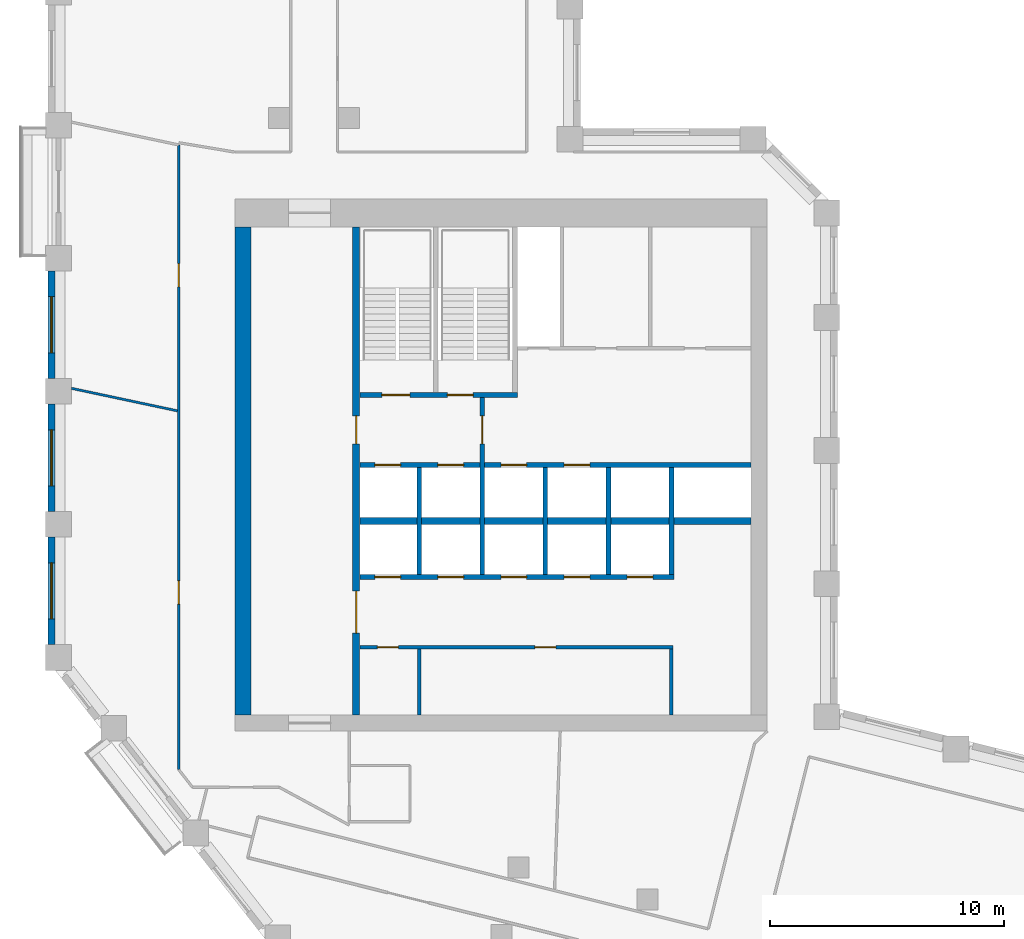
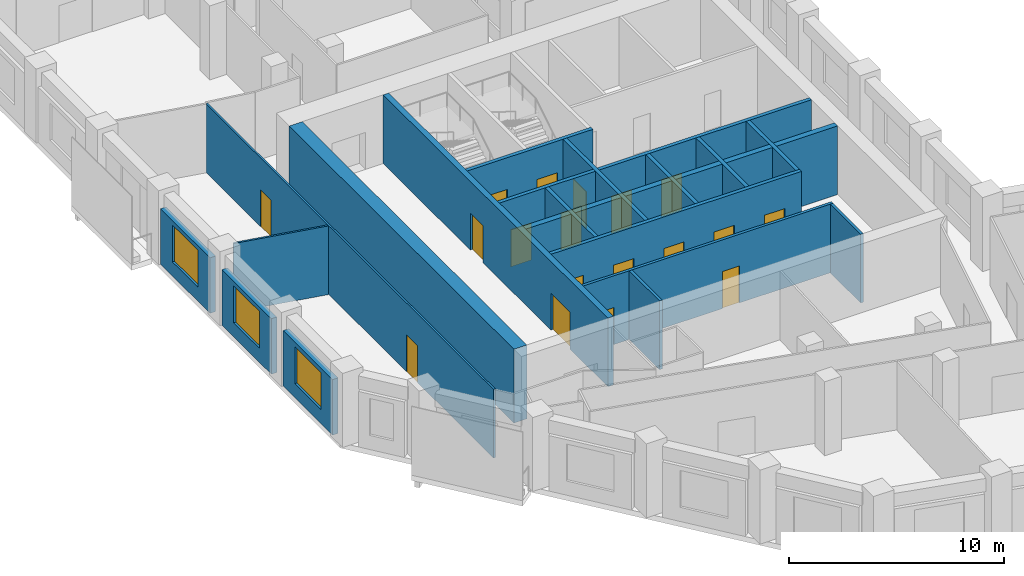
# One storey, part 5 of 10: 19 walls, 18 doors, 3 windows, 21 openings.
"""IFC4 building model written with IfcOpenShell, lengths in metres."""

from ifc_helpers import new_model, si_unit, direction, frame, frame_2d, origin, place, context, subcontext, project, spatial, rectangle, extrude, material, layer, layer_set, type_object, element, fill, save


model = new_model("IFC4")

# Units and contexts
model_context = context("Model", 3, precision=1e-05, world=origin(), true_north=direction((0.0, 1.0)))
body_context = subcontext(model_context, "Body", "Model", "MODEL_VIEW")
ifc_project = project(units=[si_unit("LENGTHUNIT", "METRE"), si_unit("AREAUNIT", "SQUARE_METRE"), si_unit("VOLUMEUNIT", "CUBIC_METRE"), si_unit("PLANEANGLEUNIT", "RADIAN"), si_unit("MASSUNIT", "GRAM", prefix="KILO")], contexts=[model_context])

# Site, building, storey
site_placement = place(None, origin())
site = spatial("IfcSite", under=ifc_project, at=site_placement, CompositionType="ELEMENT")
building_placement = place(site_placement, origin())
building = spatial("IfcBuilding", under=site, at=building_placement, Name="Meshkara Civic Tower", CompositionType="ELEMENT")
storey_placement = place(building_placement, frame((0.0, 0.0, 255.0)))
storey = spatial("IfcBuildingStorey", under=building, at=storey_placement, Name="L58", CompositionType="ELEMENT", Elevation=255.0)

# Wall, openings, doors
ifc_material_1 = material(Name="Blockwork", Category="masonry")
ifc_layer_1 = layer(ifc_material_1, 0.14990234375)
ifc_layer_set_1 = layer_set([ifc_layer_1], Name="Core partition 150")
wall_type_1 = type_object("IfcWallType", Name="Core partition 150", PredefinedType="PARTITIONING", material=ifc_layer_set_1)
wall_1_placement = place(storey_placement, frame((13.35009765625, 17.699951171875, 0.0), z_axis=(0.0, 0.0, 1.0), x_axis=(1.0, 0.0, 0.0)))
wall_1 = element("IfcWall", 1, at=wall_1_placement, inside=storey, type_object=wall_type_1, Name="L58-C005", PredefinedType="PARTITIONING", context=body_context, shape_type="SweptSolid", body=[
    extrude(rectangle(XDim=13.4248046875, YDim=0.14990234375, at=frame_2d((6.71240234375, 0.0))), origin(), (0.0, 0.0, 1.0), 3.89990234375),
])
opening_1_placement = place(wall_1_placement, frame((0.75, 0.0, 0.0)))
opening_1 = element("IfcOpeningElement", 2, at=opening_1_placement, cuts=wall_1, Name="Opening L58-K010", PredefinedType="OPENING", context=body_context, shape_type="SweptSolid", body=[
    extrude(rectangle(XDim=0.89990234375, YDim=2.10009765625, at=frame_2d((0.449951171875, 1.050048828125))), frame((0.0, 0.0849609375, 0.0), z_axis=(0.0, -1.0, 0.0), x_axis=(1.0, 0.0, 0.0)), (0.0, 0.0, 1.0), 0.169921875),
])
opening_2_placement = place(wall_1_placement, frame((7.5, 0.0, 0.0)))
opening_2 = element("IfcOpeningElement", 3, at=opening_2_placement, cuts=wall_1, Name="Opening L58-K011", PredefinedType="OPENING", context=body_context, shape_type="SweptSolid", body=[
    extrude(rectangle(XDim=0.89990234375, YDim=2.10009765625, at=frame_2d((0.449951171875, 1.050048828125))), frame((0.0, 0.0849609375, 0.0), z_axis=(0.0, -1.0, 0.0), x_axis=(1.0, 0.0, 0.0)), (0.0, 0.0, 1.0), 0.169921875),
])
ifc_material_2 = material(Name="Timber door leaf in steel frame", Category="steel")
door_type_1 = type_object("IfcDoorType", Name="Core room door 900", OperationType="SINGLE_SWING_LEFT", PredefinedType="DOOR", material=ifc_material_2)
door_1_placement = place(opening_1_placement, origin())
door_1 = element("IfcDoor", 4, at=door_1_placement, inside=storey, type_object=door_type_1, Name="L58-K010", OperationType="SINGLE_SWING_LEFT", OverallHeight=2.10009765625, OverallWidth=0.89990234375, PredefinedType="DOOR", context=body_context, shape_type="SweptSolid", body=[
    extrude(rectangle(XDim=0.89990234375, YDim=2.10009765625, at=frame_2d((0.449951171875, 1.050048828125))), frame((0.0, 0.02490234375, 0.0), z_axis=(0.0, -1.0, 0.0), x_axis=(1.0, 0.0, 0.0)), (0.0, 0.0, 1.0), 0.050048828125),
])
fill(opening_1, door_1)
door_2_placement = place(opening_2_placement, origin())
door_2 = element("IfcDoor", 5, at=door_2_placement, inside=storey, type_object=door_type_1, Name="L58-K011", OperationType="SINGLE_SWING_RIGHT", OverallHeight=2.10009765625, OverallWidth=0.89990234375, PredefinedType="DOOR", context=body_context, shape_type="SweptSolid", body=[
    extrude(rectangle(XDim=0.89990234375, YDim=2.10009765625, at=frame_2d((0.449951171875, 1.050048828125))), frame((0.0, 0.02490234375, 0.0), z_axis=(0.0, -1.0, 0.0), x_axis=(1.0, 0.0, 0.0)), (0.0, 0.0, 1.0), 0.050048828125),
])
fill(opening_2, door_2)

# Walls
for number, where, z_axis, x_axis, name in (
    (6, (15.89990234375, 14.800048828125, 0.0), (0.0, 0.0, 1.0), (0.0, 1.0, 0.0), "L58-C012"),
    (7, (26.699951171875, 14.800048828125, 0.0), (0.0, 0.0, 1.0), (0.0, 1.0, 0.0), "L58-C021"),
):
    element("IfcWall", number, at=place(storey_placement, frame(where, z_axis=z_axis, x_axis=x_axis)), inside=storey, type_object=wall_type_1, Name=name, PredefinedType="PARTITIONING", context=body_context, shape_type="SweptSolid", body=[
        extrude(rectangle(XDim=2.824951171875, YDim=0.14990234375, at=frame_2d((1.41259765625, 0.0))), origin(), (0.0, 0.0, 1.0), 3.89990234375),
    ])
ifc_material_3 = material(Name="Concrete C60", Category="concrete")
ifc_layer_2 = layer(ifc_material_3, 0.699951171875)
ifc_layer_set_2 = layer_set([ifc_layer_2], Name="Core ring wall 700 C60")
wall_type_2 = type_object("IfcWallType", Name="Core ring wall 700 C60", PredefinedType="SHEAR", material=ifc_layer_set_2)
wall_2_placement = place(storey_placement, frame((8.35009765625, 14.800048828125, -0.300048828125), z_axis=(0.0, 0.0, 1.0), x_axis=(0.0, 1.0, 0.0)))
element("IfcWall", 8, at=wall_2_placement, inside=storey, type_object=wall_type_2, Name="L58-C003", PredefinedType="SHEAR", context=body_context, shape_type="SweptSolid", body=[
    extrude(rectangle(XDim=20.89990234375, YDim=0.699951171875, at=frame_2d((10.449951171875, 0.0))), origin(), (0.0, 0.0, 1.0), 4.199951171875),
])
ifc_material_4 = material(Name="Concrete C60", Category="concrete")
ifc_layer_3 = layer(ifc_material_4, 0.300048828125)
ifc_layer_set_3 = layer_set([ifc_layer_3], Name="Core shear wall 300 C60")
wall_type_3 = type_object("IfcWallType", Name="Core shear wall 300 C60", PredefinedType="SHEAR", material=ifc_layer_set_3)
wall_3_placement = place(storey_placement, frame((13.35009765625, 23.10009765625, 0.0), z_axis=(0.0, 0.0, 1.0), x_axis=(1.0, 0.0, 0.0)))
element("IfcWall", 9, at=wall_3_placement, inside=storey, type_object=wall_type_3, Name="L58-C007", PredefinedType="SHEAR", context=body_context, shape_type="SweptSolid", body=[
    extrude(rectangle(XDim=16.75, YDim=0.300048828125, at=frame_2d((8.375, 0.0))), origin(), (0.0, 0.0, 1.0), 3.89990234375),
])

# Wall, openings, doors
wall_4_placement = place(storey_placement, frame((13.199951171875, 14.800048828125, 0.0), z_axis=(0.0, 0.0, 1.0), x_axis=(0.0, 1.0, 0.0)))
wall_4 = element("IfcWall", 10, at=wall_4_placement, inside=storey, type_object=wall_type_3, Name="L58-C011", PredefinedType="SHEAR", context=body_context, shape_type="SweptSolid", body=[
    extrude(rectangle(XDim=20.89990234375, YDim=0.300048828125, at=frame_2d((10.449951171875, 0.0))), origin(), (0.0, 0.0, 1.0), 3.89990234375),
])
opening_3_placement = place(wall_4_placement, frame((3.5, 0.0, 0.0)))
opening_3 = element("IfcOpeningElement", 11, at=opening_3_placement, cuts=wall_4, Name="Opening L58-K017", PredefinedType="OPENING", context=body_context, shape_type="SweptSolid", body=[
    extrude(rectangle(XDim=1.800048828125, YDim=2.10009765625, at=frame_2d((0.89990234375, 1.050048828125))), frame((0.0, 0.159912109375, 0.0), z_axis=(0.0, -1.0, 0.0), x_axis=(1.0, 0.0, 0.0)), (0.0, 0.0, 1.0), 0.320068359375),
])
opening_4_placement = place(wall_4_placement, frame((11.60009765625, 0.0, 0.0)))
opening_4 = element("IfcOpeningElement", 12, at=opening_4_placement, cuts=wall_4, Name="Opening L58-K018", PredefinedType="OPENING", context=body_context, shape_type="SweptSolid", body=[
    extrude(rectangle(XDim=1.199951171875, YDim=2.10009765625, at=frame_2d((0.60009765625, 1.050048828125))), frame((0.0, 0.159912109375, 0.0), z_axis=(0.0, -1.0, 0.0), x_axis=(1.0, 0.0, 0.0)), (0.0, 0.0, 1.0), 0.320068359375),
])
ifc_material_5 = material(Name="Fire-rated door leaf in steel frame", Category="steel")
door_type_2 = type_object("IfcDoorType", Name="Core double door 1800 EI 60", OperationType="DOUBLE_DOOR_SINGLE_SWING", PredefinedType="DOOR", material=ifc_material_5)
door_3_placement = place(opening_3_placement, origin())
door_3 = element("IfcDoor", 13, at=door_3_placement, inside=storey, type_object=door_type_2, Name="L58-K017", OperationType="DOUBLE_DOOR_SINGLE_SWING", OverallHeight=2.10009765625, OverallWidth=1.800048828125, PredefinedType="DOOR", context=body_context, shape_type="SweptSolid", body=[
    extrude(rectangle(XDim=1.800048828125, YDim=2.10009765625, at=frame_2d((0.89990234375, 1.050048828125))), frame((0.0, 0.02490234375, 0.0), z_axis=(0.0, -1.0, 0.0), x_axis=(1.0, 0.0, 0.0)), (0.0, 0.0, 1.0), 0.050048828125),
])
fill(opening_3, door_3)
ifc_material_6 = material(Name="Fire-rated door leaf in steel frame", Category="steel")
door_type_3 = type_object("IfcDoorType", Name="Fire-fighting lobby door 1200 EI 120", OperationType="SINGLE_SWING_LEFT", PredefinedType="DOOR", material=ifc_material_6)
door_4_placement = place(opening_4_placement, origin())
door_4 = element("IfcDoor", 14, at=door_4_placement, inside=storey, type_object=door_type_3, Name="L58-K018", OperationType="SINGLE_SWING_LEFT", OverallHeight=2.10009765625, OverallWidth=1.199951171875, PredefinedType="DOOR", context=body_context, shape_type="SweptSolid", body=[
    extrude(rectangle(XDim=1.199951171875, YDim=2.10009765625, at=frame_2d((0.60009765625, 1.050048828125))), frame((0.0, 0.02490234375, 0.0), z_axis=(0.0, -1.0, 0.0), x_axis=(1.0, 0.0, 0.0)), (0.0, 0.0, 1.0), 0.050048828125),
])
fill(opening_4, door_4)

ifc_material_7 = material(Name="Corridor wall 100")
ifc_layer_4 = layer(ifc_material_7, 0.10009765625)
ifc_layer_set_4 = layer_set([ifc_layer_4], Name="Corridor wall 100")
wall_type_4 = type_object("IfcWallType", Name="Corridor wall 100", PredefinedType="PARTITIONING", material=ifc_layer_set_4)
wall_5_placement = place(storey_placement, frame((5.60009765625, 39.205078125, 0.0), z_axis=(0.0, 0.0, 1.0), x_axis=(0.0, -1.0, 0.0)))
wall_5 = element("IfcWall", 15, at=wall_5_placement, inside=storey, type_object=wall_type_4, Name="L58-W004", PredefinedType="PARTITIONING", context=body_context, shape_type="SweptSolid", body=[
    extrude(rectangle(XDim=26.755126953125, YDim=0.10009765625, at=frame_2d((13.37744140625, 0.0))), origin(), (0.0, 0.0, 1.0), 3.89990234375),
])
opening_5_placement = place(wall_5_placement, frame((18.6669921875, 0.0, 0.0)))
opening_5 = element("IfcOpeningElement", 16, at=opening_5_placement, cuts=wall_5, Name="Opening L58-D013", PredefinedType="OPENING", context=body_context, shape_type="SweptSolid", body=[
    extrude(rectangle(XDim=1.0, YDim=2.10009765625, at=frame_2d((0.5, 1.050048828125))), frame((0.0, 0.06005859375, 0.0), z_axis=(0.0, -1.0, 0.0), x_axis=(1.0, 0.0, 0.0)), (0.0, 0.0, 1.0), 0.1201171875),
])
opening_6_placement = place(wall_5_placement, frame((5.080078125, 0.0, 0.0)))
opening_6 = element("IfcOpeningElement", 17, at=opening_6_placement, cuts=wall_5, Name="Opening L58-D014", PredefinedType="OPENING", context=body_context, shape_type="SweptSolid", body=[
    extrude(rectangle(XDim=1.0, YDim=2.10009765625, at=frame_2d((0.5, 1.050048828125))), frame((0.0, 0.06005859375, 0.0), z_axis=(0.0, -1.0, 0.0), x_axis=(1.0, 0.0, 0.0)), (0.0, 0.0, 1.0), 0.1201171875),
])
ifc_material_8 = material(Name="Door 1000 x 2100")
door_type_4 = type_object("IfcDoorType", Name="Door 1000 x 2100", OperationType="SINGLE_SWING_LEFT", PredefinedType="DOOR", material=ifc_material_8)
door_5_placement = place(opening_5_placement, origin())
door_5 = element("IfcDoor", 18, at=door_5_placement, inside=storey, type_object=door_type_4, Name="L58-D013", OperationType="SINGLE_SWING_LEFT", OverallHeight=2.10009765625, OverallWidth=1.0, PredefinedType="DOOR", context=body_context, shape_type="SweptSolid", body=[
    extrude(rectangle(XDim=1.0, YDim=2.10009765625, at=frame_2d((0.5, 1.050048828125))), frame((0.0, 0.02490234375, 0.0), z_axis=(0.0, -1.0, 0.0), x_axis=(1.0, 0.0, 0.0)), (0.0, 0.0, 1.0), 0.050048828125),
])
fill(opening_5, door_5)
door_6_placement = place(opening_6_placement, origin())
door_6 = element("IfcDoor", 19, at=door_6_placement, inside=storey, type_object=door_type_4, Name="L58-D014", OperationType="SINGLE_SWING_RIGHT", OverallHeight=2.10009765625, OverallWidth=1.0, PredefinedType="DOOR", context=body_context, shape_type="SweptSolid", body=[
    extrude(rectangle(XDim=1.0, YDim=2.10009765625, at=frame_2d((0.5, 1.050048828125))), frame((0.0, 0.02490234375, 0.0), z_axis=(0.0, -1.0, 0.0), x_axis=(1.0, 0.0, 0.0)), (0.0, 0.0, 1.0), 0.050048828125),
])
fill(opening_6, door_6)

# Wall, opening, window
ifc_material_9 = material(Name="Insulated infill panel with bronze anodised aluminium cladding", Category="aluminium")
ifc_layer_5 = layer(ifc_material_9, 0.300048828125)
ifc_layer_set_5 = layer_set([ifc_layer_5], Name="EXTERNAL INFILL WALL 300")
wall_type_5 = type_object("IfcWallType", Name="EXTERNAL INFILL WALL 300", PredefinedType="SOLIDWALL", material=ifc_layer_set_5)
wall_6_placement = place(storey_placement, frame((0.14990234375, 33.804931640625, 0.0), z_axis=(0.0, 0.0, 1.0), x_axis=(0.0, -1.0, 0.0)))
wall_6 = element("IfcWall", 20, at=wall_6_placement, inside=storey, type_object=wall_type_5, Name="External wall", PredefinedType="SOLIDWALL", context=body_context, shape_type="SweptSolid", body=[
    extrude(rectangle(XDim=4.599853515625, YDim=0.300048828125, at=frame_2d((2.2998046875, 0.0))), origin(), (0.0, 0.0, 1.0), 3.14990234375),
])
opening_7_placement = place(wall_6_placement, frame((1.10009765625, 0.0, 0.800048828125)))
opening_7 = element("IfcOpeningElement", 21, at=opening_7_placement, cuts=wall_6, Name="Opening W7", PredefinedType="OPENING", context=body_context, shape_type="SweptSolid", body=[
    extrude(rectangle(XDim=2.39990234375, YDim=2.10009765625, at=frame_2d((1.199951171875, 1.050048828125))), frame((0.0, 0.159912109375, 0.0), z_axis=(0.0, -1.0, 0.0), x_axis=(1.0, 0.0, 0.0)), (0.0, 0.0, 1.0), 0.320068359375),
])
ifc_material_10 = material(Name="Tinted double glazing", Category="glass")
window_type = type_object("IfcWindowType", Name="WINDOW 2400x2100", PartitioningType="DOUBLE_PANEL_VERTICAL", PredefinedType="WINDOW", material=ifc_material_10)
window_1_placement = place(opening_7_placement, origin())
window_1 = element("IfcWindow", 22, at=window_1_placement, inside=storey, type_object=window_type, Name="Window", OverallHeight=2.10009765625, OverallWidth=2.39990234375, PartitioningType="DOUBLE_PANEL_VERTICAL", PredefinedType="WINDOW", context=body_context, shape_type="SweptSolid", body=[
    extrude(rectangle(XDim=2.39990234375, YDim=2.10009765625, at=frame_2d((1.199951171875, 1.050048828125))), frame((0.0, 0.030029296875, 0.0), z_axis=(0.0, -1.0, 0.0), x_axis=(1.0, 0.0, 0.0)), (0.0, 0.0, 1.0), 0.06005859375),
])
fill(opening_7, window_1)

wall_7_placement = place(storey_placement, frame((0.14990234375, 28.10498046875, 0.0), z_axis=(0.0, 0.0, 1.0), x_axis=(0.0, -1.0, 0.0)))
wall_7 = element("IfcWall", 23, at=wall_7_placement, inside=storey, type_object=wall_type_5, Name="External wall", PredefinedType="SOLIDWALL", context=body_context, shape_type="SweptSolid", body=[
    extrude(rectangle(XDim=4.60009765625, YDim=0.300048828125, at=frame_2d((2.300048828125, 0.0))), origin(), (0.0, 0.0, 1.0), 3.14990234375),
])
opening_8_placement = place(wall_7_placement, frame((1.10009765625, 0.0, 0.800048828125)))
opening_8 = element("IfcOpeningElement", 24, at=opening_8_placement, cuts=wall_7, Name="Opening W7", PredefinedType="OPENING", context=body_context, shape_type="SweptSolid", body=[
    extrude(rectangle(XDim=2.39990234375, YDim=2.10009765625, at=frame_2d((1.199951171875, 1.050048828125))), frame((0.0, 0.159912109375, 0.0), z_axis=(0.0, -1.0, 0.0), x_axis=(1.0, 0.0, 0.0)), (0.0, 0.0, 1.0), 0.320068359375),
])
window_2_placement = place(opening_8_placement, origin())
window_2 = element("IfcWindow", 25, at=window_2_placement, inside=storey, type_object=window_type, Name="Window", OverallHeight=2.10009765625, OverallWidth=2.39990234375, PartitioningType="DOUBLE_PANEL_VERTICAL", PredefinedType="WINDOW", context=body_context, shape_type="SweptSolid", body=[
    extrude(rectangle(XDim=2.39990234375, YDim=2.10009765625, at=frame_2d((1.199951171875, 1.050048828125))), frame((0.0, 0.030029296875, 0.0), z_axis=(0.0, -1.0, 0.0), x_axis=(1.0, 0.0, 0.0)), (0.0, 0.0, 1.0), 0.06005859375),
])
fill(opening_8, window_2)

wall_8_placement = place(storey_placement, frame((0.14990234375, 22.405029296875, 0.0), z_axis=(0.0, 0.0, 1.0), x_axis=(0.0, -1.0, 0.0)))
wall_8 = element("IfcWall", 26, at=wall_8_placement, inside=storey, type_object=wall_type_5, Name="External wall", PredefinedType="SOLIDWALL", context=body_context, shape_type="SweptSolid", body=[
    extrude(rectangle(XDim=4.60009765625, YDim=0.300048828125, at=frame_2d((2.300048828125, 0.0))), origin(), (0.0, 0.0, 1.0), 3.14990234375),
])
opening_9_placement = place(wall_8_placement, frame((1.10009765625, 0.0, 0.800048828125)))
opening_9 = element("IfcOpeningElement", 27, at=opening_9_placement, cuts=wall_8, Name="Opening W7", PredefinedType="OPENING", context=body_context, shape_type="SweptSolid", body=[
    extrude(rectangle(XDim=2.39990234375, YDim=2.10009765625, at=frame_2d((1.199951171875, 1.050048828125))), frame((0.0, 0.159912109375, 0.0), z_axis=(0.0, -1.0, 0.0), x_axis=(1.0, 0.0, 0.0)), (0.0, 0.0, 1.0), 0.320068359375),
])
window_3_placement = place(opening_9_placement, origin())
window_3 = element("IfcWindow", 28, at=window_3_placement, inside=storey, type_object=window_type, Name="Window", OverallHeight=2.10009765625, OverallWidth=2.39990234375, PartitioningType="DOUBLE_PANEL_VERTICAL", PredefinedType="WINDOW", context=body_context, shape_type="SweptSolid", body=[
    extrude(rectangle(XDim=2.39990234375, YDim=2.10009765625, at=frame_2d((1.199951171875, 1.050048828125))), frame((0.0, 0.030029296875, 0.0), z_axis=(0.0, -1.0, 0.0), x_axis=(1.0, 0.0, 0.0)), (0.0, 0.0, 1.0), 0.06005859375),
])
fill(opening_9, window_3)

# Wall
ifc_material_11 = material(Name="Partition 100")
ifc_layer_6 = layer(ifc_material_11, 0.10009765625)
ifc_layer_set_6 = layer_set([ifc_layer_6], Name="Partition 100")
wall_type_6 = type_object("IfcWallType", Name="Partition 100", PredefinedType="PARTITIONING", material=ifc_layer_set_6)
wall_9_placement = place(storey_placement, frame((5.5400390625, 27.818115234375, 0.0), z_axis=(0.0, 0.0, 1.0), x_axis=(-0.978155107638, 0.207876370477, 0.0)))
element("IfcWall", 29, at=wall_9_placement, inside=storey, type_object=wall_type_6, Name="L58-W046", PredefinedType="PARTITIONING", context=body_context, shape_type="SweptSolid", body=[
    extrude(rectangle(XDim=4.641357421875, YDim=0.10009765625, at=frame_2d((2.32080078125, 0.0))), origin(), (0.0, 0.0, 1.0), 3.89990234375),
])

# Wall, openings, doors
ifc_material_12 = material(Name="Concrete C40/50", Category="concrete")
ifc_layer_7 = layer(ifc_material_12, 0.199951171875)
ifc_layer_set_7 = layer_set([ifc_layer_7], Name="Shaft wall 200 C40/50")
wall_type_7 = type_object("IfcWallType", Name="Shaft wall 200 C40/50", PredefinedType="SOLIDWALL", material=ifc_layer_set_7)
wall_10_placement = place(storey_placement, frame((13.35009765625, 20.699951171875, 0.0), z_axis=(0.0, 0.0, 1.0), x_axis=(1.0, 0.0, 0.0)))
wall_10 = element("IfcWall", 30, at=wall_10_placement, inside=storey, type_object=wall_type_7, Name="L58-C006", PredefinedType="SOLIDWALL", context=body_context, shape_type="SweptSolid", body=[
    extrude(rectangle(XDim=13.449951171875, YDim=0.199951171875, at=frame_2d((6.72509765625, 0.0))), origin(), (0.0, 0.0, 1.0), 3.89990234375),
])
opening_10_placement = place(wall_10_placement, frame((0.64990234375, 0.0, 0.0)))
opening_10 = element("IfcOpeningElement", 31, at=opening_10_placement, cuts=wall_10, Name="Opening L58-K001", PredefinedType="OPENING", context=body_context, shape_type="SweptSolid", body=[
    extrude(rectangle(XDim=1.10009765625, YDim=2.10009765625, at=frame_2d((0.550048828125, 1.050048828125))), frame((0.0, 0.10986328125, 0.0), z_axis=(0.0, -1.0, 0.0), x_axis=(1.0, 0.0, 0.0)), (0.0, 0.0, 1.0), 0.219970703125),
])
opening_11_placement = place(wall_10_placement, frame((3.35009765625, 0.0, 0.0)))
opening_11 = element("IfcOpeningElement", 32, at=opening_11_placement, cuts=wall_10, Name="Opening L58-K002", PredefinedType="OPENING", context=body_context, shape_type="SweptSolid", body=[
    extrude(rectangle(XDim=1.10009765625, YDim=2.10009765625, at=frame_2d((0.550048828125, 1.050048828125))), frame((0.0, 0.10986328125, 0.0), z_axis=(0.0, -1.0, 0.0), x_axis=(1.0, 0.0, 0.0)), (0.0, 0.0, 1.0), 0.219970703125),
])
opening_12_placement = place(wall_10_placement, frame((6.050048828125, 0.0, 0.0)))
opening_12 = element("IfcOpeningElement", 33, at=opening_12_placement, cuts=wall_10, Name="Opening L58-K003", PredefinedType="OPENING", context=body_context, shape_type="SweptSolid", body=[
    extrude(rectangle(XDim=1.10009765625, YDim=2.10009765625, at=frame_2d((0.550048828125, 1.050048828125))), frame((0.0, 0.10986328125, 0.0), z_axis=(0.0, -1.0, 0.0), x_axis=(1.0, 0.0, 0.0)), (0.0, 0.0, 1.0), 0.219970703125),
])
opening_13_placement = place(wall_10_placement, frame((8.75, 0.0, 0.0)))
opening_13 = element("IfcOpeningElement", 34, at=opening_13_placement, cuts=wall_10, Name="Opening L58-K004", PredefinedType="OPENING", context=body_context, shape_type="SweptSolid", body=[
    extrude(rectangle(XDim=1.10009765625, YDim=2.10009765625, at=frame_2d((0.550048828125, 1.050048828125))), frame((0.0, 0.10986328125, 0.0), z_axis=(0.0, -1.0, 0.0), x_axis=(1.0, 0.0, 0.0)), (0.0, 0.0, 1.0), 0.219970703125),
])
opening_14_placement = place(wall_10_placement, frame((11.449951171875, 0.0, 0.0)))
opening_14 = element("IfcOpeningElement", 35, at=opening_14_placement, cuts=wall_10, Name="Opening L58-K005", PredefinedType="OPENING", context=body_context, shape_type="SweptSolid", body=[
    extrude(rectangle(XDim=1.10009765625, YDim=2.10009765625, at=frame_2d((0.550048828125, 1.050048828125))), frame((0.0, 0.10986328125, 0.0), z_axis=(0.0, -1.0, 0.0), x_axis=(1.0, 0.0, 0.0)), (0.0, 0.0, 1.0), 0.219970703125),
])
ifc_material_13 = material(Name="Stainless steel landing door", Category="steel")
door_type_5 = type_object("IfcDoorType", Name="Lift landing door 1100", OperationType="SLIDING_TO_LEFT", PredefinedType="DOOR", material=ifc_material_13)
door_7_placement = place(opening_10_placement, origin())
door_7 = element("IfcDoor", 36, at=door_7_placement, inside=storey, type_object=door_type_5, Name="L58-K001", OperationType="SLIDING_TO_LEFT", OverallHeight=2.10009765625, OverallWidth=1.10009765625, PredefinedType="DOOR", context=body_context, shape_type="SweptSolid", body=[
    extrude(rectangle(XDim=1.10009765625, YDim=2.10009765625, at=frame_2d((0.550048828125, 1.050048828125))), frame((0.0, 0.02490234375, 0.0), z_axis=(0.0, -1.0, 0.0), x_axis=(1.0, 0.0, 0.0)), (0.0, 0.0, 1.0), 0.050048828125),
])
fill(opening_10, door_7)
door_8_placement = place(opening_11_placement, origin())
door_8 = element("IfcDoor", 37, at=door_8_placement, inside=storey, type_object=door_type_5, Name="L58-K002", OperationType="SLIDING_TO_LEFT", OverallHeight=2.10009765625, OverallWidth=1.10009765625, PredefinedType="DOOR", context=body_context, shape_type="SweptSolid", body=[
    extrude(rectangle(XDim=1.10009765625, YDim=2.10009765625, at=frame_2d((0.550048828125, 1.050048828125))), frame((0.0, 0.02490234375, 0.0), z_axis=(0.0, -1.0, 0.0), x_axis=(1.0, 0.0, 0.0)), (0.0, 0.0, 1.0), 0.050048828125),
])
fill(opening_11, door_8)
door_9_placement = place(opening_12_placement, origin())
door_9 = element("IfcDoor", 38, at=door_9_placement, inside=storey, type_object=door_type_5, Name="L58-K003", OperationType="SLIDING_TO_LEFT", OverallHeight=2.10009765625, OverallWidth=1.10009765625, PredefinedType="DOOR", context=body_context, shape_type="SweptSolid", body=[
    extrude(rectangle(XDim=1.10009765625, YDim=2.10009765625, at=frame_2d((0.550048828125, 1.050048828125))), frame((0.0, 0.02490234375, 0.0), z_axis=(0.0, -1.0, 0.0), x_axis=(1.0, 0.0, 0.0)), (0.0, 0.0, 1.0), 0.050048828125),
])
fill(opening_12, door_9)
door_10_placement = place(opening_13_placement, origin())
door_10 = element("IfcDoor", 39, at=door_10_placement, inside=storey, type_object=door_type_5, Name="L58-K004", OperationType="SLIDING_TO_LEFT", OverallHeight=2.10009765625, OverallWidth=1.10009765625, PredefinedType="DOOR", context=body_context, shape_type="SweptSolid", body=[
    extrude(rectangle(XDim=1.10009765625, YDim=2.10009765625, at=frame_2d((0.550048828125, 1.050048828125))), frame((0.0, 0.02490234375, 0.0), z_axis=(0.0, -1.0, 0.0), x_axis=(1.0, 0.0, 0.0)), (0.0, 0.0, 1.0), 0.050048828125),
])
fill(opening_13, door_10)
door_11_placement = place(opening_14_placement, origin())
door_11 = element("IfcDoor", 40, at=door_11_placement, inside=storey, type_object=door_type_5, Name="L58-K005", OperationType="SLIDING_TO_LEFT", OverallHeight=2.10009765625, OverallWidth=1.10009765625, PredefinedType="DOOR", context=body_context, shape_type="SweptSolid", body=[
    extrude(rectangle(XDim=1.10009765625, YDim=2.10009765625, at=frame_2d((0.550048828125, 1.050048828125))), frame((0.0, 0.02490234375, 0.0), z_axis=(0.0, -1.0, 0.0), x_axis=(1.0, 0.0, 0.0)), (0.0, 0.0, 1.0), 0.050048828125),
])
fill(opening_14, door_11)

wall_11_placement = place(storey_placement, frame((13.35009765625, 25.5, 0.0), z_axis=(0.0, 0.0, 1.0), x_axis=(1.0, 0.0, 0.0)))
wall_11 = element("IfcWall", 41, at=wall_11_placement, inside=storey, type_object=wall_type_7, Name="L58-C008", PredefinedType="SOLIDWALL", context=body_context, shape_type="SweptSolid", body=[
    extrude(rectangle(XDim=16.75, YDim=0.199951171875, at=frame_2d((8.375, 0.0))), origin(), (0.0, 0.0, 1.0), 3.89990234375),
])
opening_15_placement = place(wall_11_placement, frame((0.64990234375, 0.0, 0.0)))
opening_15 = element("IfcOpeningElement", 42, at=opening_15_placement, cuts=wall_11, Name="Opening L58-K006", PredefinedType="OPENING", context=body_context, shape_type="SweptSolid", body=[
    extrude(rectangle(XDim=1.10009765625, YDim=2.10009765625, at=frame_2d((0.550048828125, 1.050048828125))), frame((0.0, 0.10986328125, 0.0), z_axis=(0.0, -1.0, 0.0), x_axis=(1.0, 0.0, 0.0)), (0.0, 0.0, 1.0), 0.219970703125),
])
opening_16_placement = place(wall_11_placement, frame((3.35009765625, 0.0, 0.0)))
opening_16 = element("IfcOpeningElement", 43, at=opening_16_placement, cuts=wall_11, Name="Opening L58-K007", PredefinedType="OPENING", context=body_context, shape_type="SweptSolid", body=[
    extrude(rectangle(XDim=1.10009765625, YDim=2.10009765625, at=frame_2d((0.550048828125, 1.050048828125))), frame((0.0, 0.10986328125, 0.0), z_axis=(0.0, -1.0, 0.0), x_axis=(1.0, 0.0, 0.0)), (0.0, 0.0, 1.0), 0.219970703125),
])
opening_17_placement = place(wall_11_placement, frame((6.050048828125, 0.0, 0.0)))
opening_17 = element("IfcOpeningElement", 44, at=opening_17_placement, cuts=wall_11, Name="Opening L58-K008", PredefinedType="OPENING", context=body_context, shape_type="SweptSolid", body=[
    extrude(rectangle(XDim=1.10009765625, YDim=2.10009765625, at=frame_2d((0.550048828125, 1.050048828125))), frame((0.0, 0.10986328125, 0.0), z_axis=(0.0, -1.0, 0.0), x_axis=(1.0, 0.0, 0.0)), (0.0, 0.0, 1.0), 0.219970703125),
])
opening_18_placement = place(wall_11_placement, frame((8.75, 0.0, 0.0)))
opening_18 = element("IfcOpeningElement", 45, at=opening_18_placement, cuts=wall_11, Name="Opening L58-K009", PredefinedType="OPENING", context=body_context, shape_type="SweptSolid", body=[
    extrude(rectangle(XDim=1.10009765625, YDim=2.10009765625, at=frame_2d((0.550048828125, 1.050048828125))), frame((0.0, 0.10986328125, 0.0), z_axis=(0.0, -1.0, 0.0), x_axis=(1.0, 0.0, 0.0)), (0.0, 0.0, 1.0), 0.219970703125),
])
door_12_placement = place(opening_15_placement, origin())
door_12 = element("IfcDoor", 46, at=door_12_placement, inside=storey, type_object=door_type_5, Name="L58-K006", OperationType="SLIDING_TO_LEFT", OverallHeight=2.10009765625, OverallWidth=1.10009765625, PredefinedType="DOOR", context=body_context, shape_type="SweptSolid", body=[
    extrude(rectangle(XDim=1.10009765625, YDim=2.10009765625, at=frame_2d((0.550048828125, 1.050048828125))), frame((0.0, 0.02490234375, 0.0), z_axis=(0.0, -1.0, 0.0), x_axis=(1.0, 0.0, 0.0)), (0.0, 0.0, 1.0), 0.050048828125),
])
fill(opening_15, door_12)
door_13_placement = place(opening_16_placement, origin())
door_13 = element("IfcDoor", 47, at=door_13_placement, inside=storey, type_object=door_type_5, Name="L58-K007", OperationType="SLIDING_TO_LEFT", OverallHeight=2.10009765625, OverallWidth=1.10009765625, PredefinedType="DOOR", context=body_context, shape_type="SweptSolid", body=[
    extrude(rectangle(XDim=1.10009765625, YDim=2.10009765625, at=frame_2d((0.550048828125, 1.050048828125))), frame((0.0, 0.02490234375, 0.0), z_axis=(0.0, -1.0, 0.0), x_axis=(1.0, 0.0, 0.0)), (0.0, 0.0, 1.0), 0.050048828125),
])
fill(opening_16, door_13)
door_14_placement = place(opening_17_placement, origin())
door_14 = element("IfcDoor", 48, at=door_14_placement, inside=storey, type_object=door_type_5, Name="L58-K008", OperationType="SLIDING_TO_LEFT", OverallHeight=2.10009765625, OverallWidth=1.10009765625, PredefinedType="DOOR", context=body_context, shape_type="SweptSolid", body=[
    extrude(rectangle(XDim=1.10009765625, YDim=2.10009765625, at=frame_2d((0.550048828125, 1.050048828125))), frame((0.0, 0.02490234375, 0.0), z_axis=(0.0, -1.0, 0.0), x_axis=(1.0, 0.0, 0.0)), (0.0, 0.0, 1.0), 0.050048828125),
])
fill(opening_17, door_14)
door_15_placement = place(opening_18_placement, origin())
door_15 = element("IfcDoor", 49, at=door_15_placement, inside=storey, type_object=door_type_5, Name="L58-K009", OperationType="SLIDING_TO_LEFT", OverallHeight=2.10009765625, OverallWidth=1.10009765625, PredefinedType="DOOR", context=body_context, shape_type="SweptSolid", body=[
    extrude(rectangle(XDim=1.10009765625, YDim=2.10009765625, at=frame_2d((0.550048828125, 1.050048828125))), frame((0.0, 0.02490234375, 0.0), z_axis=(0.0, -1.0, 0.0), x_axis=(1.0, 0.0, 0.0)), (0.0, 0.0, 1.0), 0.050048828125),
])
fill(opening_18, door_15)

# Wall
wall_12_placement = place(storey_placement, frame((15.89990234375, 20.800048828125, 0.0), z_axis=(0.0, 0.0, 1.0), x_axis=(0.0, 1.0, 0.0)))
element("IfcWall", 50, at=wall_12_placement, inside=storey, type_object=wall_type_7, Name="L58-C013", PredefinedType="SOLIDWALL", context=body_context, shape_type="SweptSolid", body=[
    extrude(rectangle(XDim=4.599853515625, YDim=0.199951171875, at=frame_2d((2.2998046875, 0.0))), origin(), (0.0, 0.0, 1.0), 3.89990234375),
])

# Wall, opening, door
wall_13_placement = place(storey_placement, frame((18.60009765625, 20.800048828125, 0.0), z_axis=(0.0, 0.0, 1.0), x_axis=(0.0, 1.0, 0.0)))
wall_13 = element("IfcWall", 51, at=wall_13_placement, inside=storey, type_object=wall_type_7, Name="L58-C015", PredefinedType="SOLIDWALL", context=body_context, shape_type="SweptSolid", body=[
    extrude(rectangle(XDim=7.599853515625, YDim=0.199951171875, at=frame_2d((3.7998046875, 0.0))), origin(), (0.0, 0.0, 1.0), 3.89990234375),
])
opening_19_placement = place(wall_13_placement, frame((5.60009765625, 0.0, 0.0)))
opening_19 = element("IfcOpeningElement", 52, at=opening_19_placement, cuts=wall_13, Name="Opening L58-K019", PredefinedType="OPENING", context=body_context, shape_type="SweptSolid", body=[
    extrude(rectangle(XDim=1.199951171875, YDim=2.10009765625, at=frame_2d((0.60009765625, 1.050048828125))), frame((0.0, 0.10986328125, 0.0), z_axis=(0.0, -1.0, 0.0), x_axis=(1.0, 0.0, 0.0)), (0.0, 0.0, 1.0), 0.219970703125),
])
door_16_placement = place(opening_19_placement, origin())
door_16 = element("IfcDoor", 53, at=door_16_placement, inside=storey, type_object=door_type_3, Name="L58-K019", OperationType="SINGLE_SWING_RIGHT", OverallHeight=2.10009765625, OverallWidth=1.199951171875, PredefinedType="DOOR", context=body_context, shape_type="SweptSolid", body=[
    extrude(rectangle(XDim=1.199951171875, YDim=2.10009765625, at=frame_2d((0.60009765625, 1.050048828125))), frame((0.0, 0.02490234375, 0.0), z_axis=(0.0, -1.0, 0.0), x_axis=(1.0, 0.0, 0.0)), (0.0, 0.0, 1.0), 0.050048828125),
])
fill(opening_19, door_16)

# Walls
for number, where, z_axis, x_axis, name in (
    (54, (21.300048828125, 20.800048828125, 0.0), (0.0, 0.0, 1.0), (0.0, 1.0, 0.0), "L58-C017"),
    (55, (24.0, 20.800048828125, 0.0), (0.0, 0.0, 1.0), (0.0, 1.0, 0.0), "L58-C019"),
    (56, (26.699951171875, 20.800048828125, 0.0), (0.0, 0.0, 1.0), (0.0, 1.0, 0.0), "L58-C022"),
):
    element("IfcWall", number, at=place(storey_placement, frame(where, z_axis=z_axis, x_axis=x_axis)), inside=storey, type_object=wall_type_7, Name=name, PredefinedType="SOLIDWALL", context=body_context, shape_type="SweptSolid", body=[
        extrude(rectangle(XDim=4.599853515625, YDim=0.199951171875, at=frame_2d((2.2998046875, 0.0))), origin(), (0.0, 0.0, 1.0), 3.89990234375),
    ])

# Wall, openings, doors
ifc_material_14 = material(Name="Concrete C40/50", Category="concrete")
ifc_layer_8 = layer(ifc_material_14, 0.199951171875)
ifc_layer_set_8 = layer_set([ifc_layer_8], Name="Stair enclosure wall 200 C40/50")
wall_type_8 = type_object("IfcWallType", Name="Stair enclosure wall 200 C40/50", PredefinedType="SOLIDWALL", material=ifc_layer_set_8)
wall_14_placement = place(storey_placement, frame((13.35009765625, 28.5, 0.0), z_axis=(0.0, 0.0, 1.0), x_axis=(1.0, 0.0, 0.0)))
wall_14 = element("IfcWall", 57, at=wall_14_placement, inside=storey, type_object=wall_type_8, Name="L58-C009", PredefinedType="SOLIDWALL", context=body_context, shape_type="SweptSolid", body=[
    extrude(rectangle(XDim=6.75, YDim=0.199951171875, at=frame_2d((3.375, 0.0))), origin(), (0.0, 0.0, 1.0), 3.89990234375),
])
opening_20_placement = place(wall_14_placement, frame((0.949951171875, 0.0, 0.0)))
opening_20 = element("IfcOpeningElement", 58, at=opening_20_placement, cuts=wall_14, Name="Opening L58-K015", PredefinedType="OPENING", context=body_context, shape_type="SweptSolid", body=[
    extrude(rectangle(XDim=1.199951171875, YDim=2.10009765625, at=frame_2d((0.60009765625, 1.050048828125))), frame((0.0, 0.10986328125, 0.0), z_axis=(0.0, -1.0, 0.0), x_axis=(1.0, 0.0, 0.0)), (0.0, 0.0, 1.0), 0.219970703125),
])
opening_21_placement = place(wall_14_placement, frame((3.75, 0.0, 0.0)))
opening_21 = element("IfcOpeningElement", 59, at=opening_21_placement, cuts=wall_14, Name="Opening L58-K016", PredefinedType="OPENING", context=body_context, shape_type="SweptSolid", body=[
    extrude(rectangle(XDim=1.10009765625, YDim=2.10009765625, at=frame_2d((0.550048828125, 1.050048828125))), frame((0.0, 0.10986328125, 0.0), z_axis=(0.0, -1.0, 0.0), x_axis=(1.0, 0.0, 0.0)), (0.0, 0.0, 1.0), 0.219970703125),
])
ifc_material_15 = material(Name="Fire-rated door leaf in steel frame", Category="steel")
door_type_6 = type_object("IfcDoorType", Name="Stair door 1100 EI 120", OperationType="SINGLE_SWING_LEFT", PredefinedType="DOOR", material=ifc_material_15)
door_17_placement = place(opening_21_placement, origin())
door_17 = element("IfcDoor", 60, at=door_17_placement, inside=storey, type_object=door_type_6, Name="L58-K016", OperationType="SINGLE_SWING_LEFT", OverallHeight=2.10009765625, OverallWidth=1.10009765625, PredefinedType="DOOR", context=body_context, shape_type="SweptSolid", body=[
    extrude(rectangle(XDim=1.10009765625, YDim=2.10009765625, at=frame_2d((0.550048828125, 1.050048828125))), frame((0.0, 0.02490234375, 0.0), z_axis=(0.0, -1.0, 0.0), x_axis=(1.0, 0.0, 0.0)), (0.0, 0.0, 1.0), 0.050048828125),
])
fill(opening_21, door_17)
ifc_material_16 = material(Name="Fire-rated door leaf in steel frame", Category="steel")
door_type_7 = type_object("IfcDoorType", Name="Stair door 1200 EI 120", OperationType="SINGLE_SWING_LEFT", PredefinedType="DOOR", material=ifc_material_16)
door_18_placement = place(opening_20_placement, origin())
door_18 = element("IfcDoor", 61, at=door_18_placement, inside=storey, type_object=door_type_7, Name="L58-K015", OperationType="SINGLE_SWING_RIGHT", OverallHeight=2.10009765625, OverallWidth=1.199951171875, PredefinedType="DOOR", context=body_context, shape_type="SweptSolid", body=[
    extrude(rectangle(XDim=1.199951171875, YDim=2.10009765625, at=frame_2d((0.60009765625, 1.050048828125))), frame((0.0, 0.02490234375, 0.0), z_axis=(0.0, -1.0, 0.0), x_axis=(1.0, 0.0, 0.0)), (0.0, 0.0, 1.0), 0.050048828125),
])
fill(opening_20, door_18)

save(model, "model.ifc")
